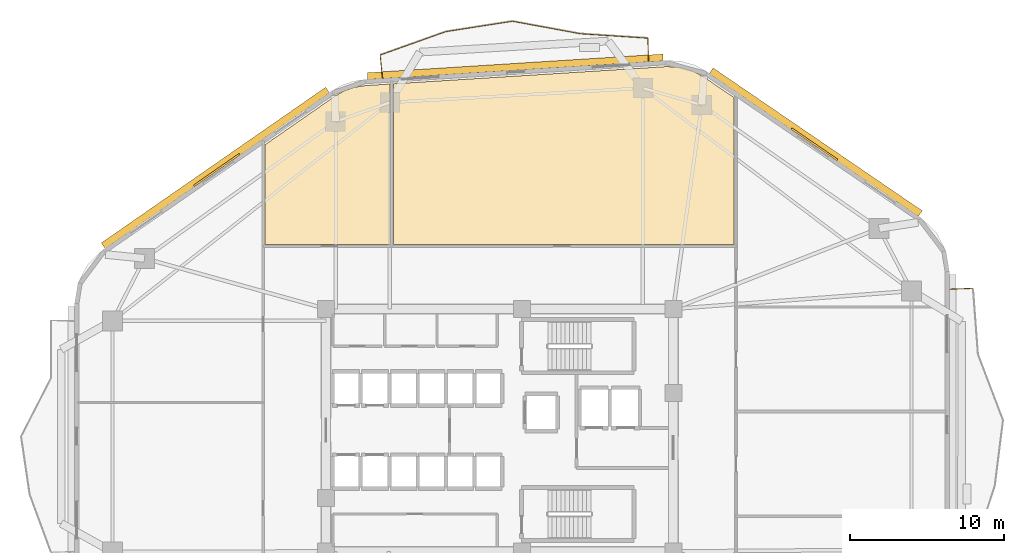
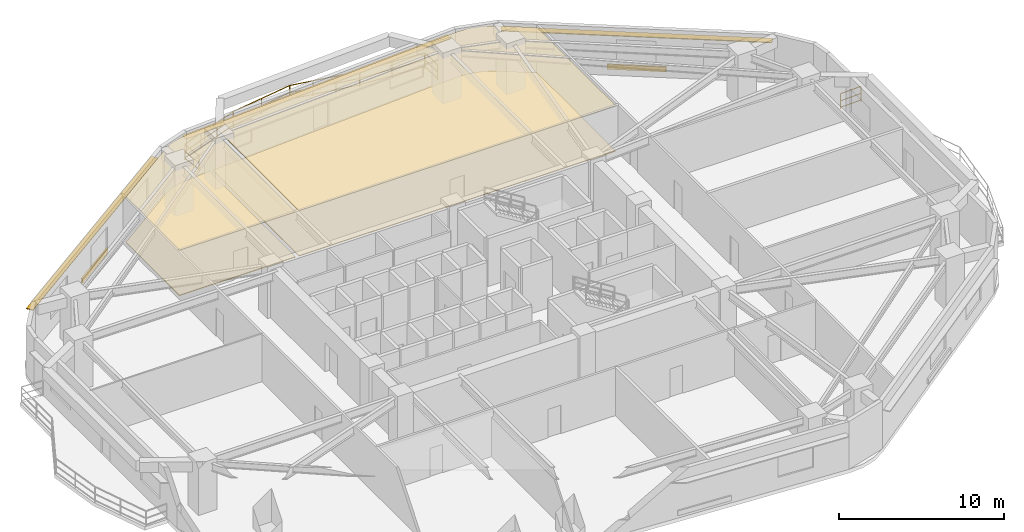
# One storey, part 9 of 9: 7 railings, 5 shading devices, 4 coverings.
"""IFC4 building model written with IfcOpenShell, lengths in metres."""

from ifc_helpers import new_model, si_unit, direction, frame, origin, origin_2d, place, context, subcontext, project, spatial, polyline, rectangle, outline, extrude, material, layer, layer_set, type_object, element, save


model = new_model("IFC4")

# Units and contexts
model_context = context("Model", 3, precision=1e-05, world=origin(), true_north=direction((0.0, 1.0)))
body_context = subcontext(model_context, "Body", "Model", "MODEL_VIEW")
ifc_project = project(units=[si_unit("LENGTHUNIT", "METRE"), si_unit("AREAUNIT", "SQUARE_METRE"), si_unit("VOLUMEUNIT", "CUBIC_METRE"), si_unit("PLANEANGLEUNIT", "RADIAN"), si_unit("MASSUNIT", "GRAM", prefix="KILO")], contexts=[model_context])

# Site, building, storey
site_placement = place(None, origin())
site = spatial("IfcSite", under=ifc_project, at=site_placement, CompositionType="ELEMENT")
building_placement = place(site_placement, origin())
building = spatial("IfcBuilding", under=site, at=building_placement, Name="Zulverin Broadcast Headquarters", CompositionType="ELEMENT")
storey_placement = place(building_placement, frame((0.0, 0.0, 59.199951171875)))
storey = spatial("IfcBuildingStorey", under=building, at=storey_placement, Name="L14", CompositionType="ELEMENT", Elevation=59.199951171875)

# Coverings
ifc_material_1 = material(Name="Perforated pale-metal acoustic baffle ceiling", Category="aluminium")
ifc_layer_1 = layer(ifc_material_1, 0.0400390625, Name="Perforated pale-metal acoustic baffle ceiling", Category="aluminium")
ifc_layer_set_1 = layer_set([ifc_layer_1], Name="Perforated pale-metal acoustic baffle ceiling")
covering_type_1 = type_object("IfcCoveringType", Name="COV-CEIL-ACOU", PredefinedType="CEILING", material=ifc_layer_set_1)
covering_1_placement = place(storey_placement, frame((0.0, 0.0, 3.344970703125)))
element("IfcCovering", 1, at=covering_1_placement, inside=storey, type_object=covering_type_1, Name="L14 Acoustic Baffle Ceiling 01", PredefinedType="CEILING", context=body_context, shape_type="SweptSolid", body=[
    extrude(outline(polyline([(29.8798828125, 37.27197265625), (29.8798828125, 47.676025390625), (28.27587890625, 47.575927734375), (27.575927734375, 47.468017578125), (26.927978515625, 47.243896484375), (26.31591796875, 46.89599609375), (21.77197265625, 43.739990234375), (21.77197265625, 37.27197265625), (29.8798828125, 37.27197265625)])), origin(), (0.0, 0.0, 1.0), 0.0400390625),
])
covering_2_placement = place(storey_placement, frame((0.0, 0.0, 3.344970703125)))
element("IfcCovering", 2, at=covering_2_placement, inside=storey, type_object=covering_type_1, Name="L14 Acoustic Baffle Ceiling 02", PredefinedType="CEILING", context=body_context, shape_type="SweptSolid", body=[
    extrude(outline(polyline([(52.23193359375, 37.27197265625), (52.23193359375, 46.7880859375), (50.248046875, 48.139892578125), (49.491943359375, 48.548095703125), (48.68408203125, 48.76806640625), (47.823974609375, 48.80810546875), (30.1201171875, 47.69189453125), (30.1201171875, 37.27197265625), (52.23193359375, 37.27197265625)])), origin(), (0.0, 0.0, 1.0), 0.0400390625),
])
ifc_material_2 = material(Name="Anti-static broadcast raised access flooring", Category="stone")
ifc_layer_2 = layer(ifc_material_2, 0.050048828125, Name="Anti-static broadcast raised access flooring", Category="stone")
ifc_layer_set_2 = layer_set([ifc_layer_2], Name="Anti-static broadcast raised access flooring")
covering_type_2 = type_object("IfcCoveringType", Name="COV-FLR-RAISED", PredefinedType="FLOORING", material=ifc_layer_set_2)
covering_3_placement = place(storey_placement, origin())
element("IfcCovering", 3, at=covering_3_placement, inside=storey, type_object=covering_type_2, Name="L14 Broadcast Raised Access Flooring 01", PredefinedType="FLOORING", context=body_context, shape_type="SweptSolid", body=[
    extrude(outline(polyline([(29.8798828125, 37.27197265625), (29.8798828125, 47.676025390625), (28.27587890625, 47.575927734375), (27.575927734375, 47.468017578125), (26.927978515625, 47.243896484375), (26.31591796875, 46.89599609375), (21.77197265625, 43.739990234375), (21.77197265625, 37.27197265625), (29.8798828125, 37.27197265625)])), origin(), (0.0, 0.0, 1.0), 0.050048828125),
])
covering_4_placement = place(storey_placement, origin())
element("IfcCovering", 4, at=covering_4_placement, inside=storey, type_object=covering_type_2, Name="L14 Broadcast Raised Access Flooring 02", PredefinedType="FLOORING", context=body_context, shape_type="SweptSolid", body=[
    extrude(outline(polyline([(52.23193359375, 37.27197265625), (52.23193359375, 46.7880859375), (50.248046875, 48.139892578125), (49.491943359375, 48.548095703125), (48.68408203125, 48.76806640625), (47.823974609375, 48.80810546875), (30.1201171875, 47.69189453125), (30.1201171875, 37.27197265625), (52.23193359375, 37.27197265625)])), origin(), (0.0, 0.0, 1.0), 0.050048828125),
])

# Railings
ifc_material_3 = material(Name="Brushed stainless steel & laminated glass balustrade", Category="steel")
railing_type = type_object("IfcRailingType", Name="RL-GUARD-1150", PredefinedType="GUARDRAIL", material=ifc_material_3)
railing_1_placement = place(storey_placement, frame((67.705078125, 34.413818359375, 0.0)))
element("IfcRailing", 5, at=railing_1_placement, inside=storey, type_object=railing_type, Name="L14 Vertical-Forest Balcony Guardrail BAL_E Segment 06", PredefinedType="GUARDRAIL", context=body_context, shape_type="SweptSolid", body=[
    extrude(rectangle(XDim=0.048095703125, YDim=0.048095703125, at=origin_2d()), frame((0.0, 0.0, 1.1259765625), z_axis=(-0.999181155166, -0.040460093435, 0.0), x_axis=(0.040460093435, -0.999181155166, 0.0)), (0.0, 0.0, 1.0), 1.46630859375),
    extrude(rectangle(XDim=0.0419921875, YDim=0.0419921875, at=origin_2d()), frame((0.0, 0.0, 0.597900390625), z_axis=(-0.999181155166, -0.040460093435, 0.0), x_axis=(0.040460093435, -0.999181155166, 0.0)), (0.0, 0.0, 1.0), 1.46630859375),
    extrude(rectangle(XDim=0.0419921875, YDim=0.0419921875, at=origin_2d()), frame((0.0, 0.0, 0.1201171875), z_axis=(-0.999181155166, -0.040460093435, 0.0), x_axis=(0.040460093435, -0.999181155166, 0.0)), (0.0, 0.0, 1.0), 1.46630859375),
    extrude(rectangle(XDim=0.0419921875, YDim=0.0419921875, at=origin_2d()), origin(), (0.0, 0.0, 1.0), 1.101806640625),
    extrude(rectangle(XDim=0.0419921875, YDim=0.0419921875, at=origin_2d()), frame((-1.465087890625, -0.059326171875, 0.0)), (0.0, 0.0, 1.0), 1.101806640625),
])
railing_2_placement = place(storey_placement, frame((46.662841796875, 49.176025390625, 0.0)))
element("IfcRailing", 6, at=railing_2_placement, inside=storey, type_object=railing_type, Name="L14 Vertical-Forest Balcony Guardrail BAL_N Segment 01", PredefinedType="GUARDRAIL", context=body_context, shape_type="SweptSolid", body=[
    extrude(rectangle(XDim=0.048095703125, YDim=0.048095703125, at=origin_2d()), frame((0.0, 0.0, 1.1259765625), z_axis=(-0.022479328211, 0.999747307975, 0.0), x_axis=(-0.999747307975, -0.022479328211, 0.0)), (0.0, 0.0, 1.0), 1.46630859375),
    extrude(rectangle(XDim=0.0419921875, YDim=0.0419921875, at=origin_2d()), frame((0.0, 0.0, 0.597900390625), z_axis=(-0.022479328211, 0.999747307975, 0.0), x_axis=(-0.999747307975, -0.022479328211, 0.0)), (0.0, 0.0, 1.0), 1.46630859375),
    extrude(rectangle(XDim=0.0419921875, YDim=0.0419921875, at=origin_2d()), frame((0.0, 0.0, 0.1201171875), z_axis=(-0.022479328211, 0.999747307975, 0.0), x_axis=(-0.999747307975, -0.022479328211, 0.0)), (0.0, 0.0, 1.0), 1.46630859375),
    extrude(rectangle(XDim=0.0419921875, YDim=0.0419921875, at=origin_2d()), origin(), (0.0, 0.0, 1.0), 1.101806640625),
    extrude(rectangle(XDim=0.0419921875, YDim=0.0419921875, at=origin_2d()), frame((-0.032958984375, 1.4658203125, 0.0)), (0.0, 0.0, 1.0), 1.101806640625),
])
railing_3_placement = place(storey_placement, frame((46.614501953125, 50.657958984375, 0.0)))
element("IfcRailing", 7, at=railing_3_placement, inside=storey, type_object=railing_type, Name="L14 Vertical-Forest Balcony Guardrail BAL_N Segment 02", PredefinedType="GUARDRAIL", context=body_context, shape_type="SweptSolid", body=[
    extrude(rectangle(XDim=0.048095703125, YDim=0.048095703125, at=origin_2d()), frame((0.0, 0.0, 1.1259765625), z_axis=(-0.997884053824, 0.065018575224, 0.0), x_axis=(-0.065018575224, -0.997884053824, 0.0)), (0.0, 0.0, 1.0), 4.36328125),
    extrude(rectangle(XDim=0.0419921875, YDim=0.0419921875, at=origin_2d()), frame((0.0, 0.0, 0.597900390625), z_axis=(-0.997884053824, 0.065018575224, 0.0), x_axis=(-0.065018575224, -0.997884053824, 0.0)), (0.0, 0.0, 1.0), 4.36328125),
    extrude(rectangle(XDim=0.0419921875, YDim=0.0419921875, at=origin_2d()), frame((0.0, 0.0, 0.1201171875), z_axis=(-0.997884053824, 0.065018575224, 0.0), x_axis=(-0.065018575224, -0.997884053824, 0.0)), (0.0, 0.0, 1.0), 4.36328125),
    extrude(rectangle(XDim=0.0419921875, YDim=0.0419921875, at=origin_2d()), origin(), (0.0, 0.0, 1.0), 1.101806640625),
    extrude(rectangle(XDim=0.0419921875, YDim=0.0419921875, at=origin_2d()), frame((-2.177001953125, 0.141845703125, 0.0)), (0.0, 0.0, 1.0), 1.101806640625),
    extrude(rectangle(XDim=0.0419921875, YDim=0.0419921875, at=origin_2d()), frame((-4.35400390625, 0.28369140625, 0.0)), (0.0, 0.0, 1.0), 1.101806640625),
])
railing_4_placement = place(storey_placement, frame((42.230712890625, 50.9453125, 0.0)))
element("IfcRailing", 8, at=railing_4_placement, inside=storey, type_object=railing_type, Name="L14 Vertical-Forest Balcony Guardrail BAL_N Segment 03", PredefinedType="GUARDRAIL", context=body_context, shape_type="SweptSolid", body=[
    extrude(rectangle(XDim=0.048095703125, YDim=0.048095703125, at=origin_2d()), frame((0.0, 0.0, 1.1259765625), z_axis=(-0.983498315352, 0.180917284139, 0.0), x_axis=(-0.180917284139, -0.983498315352, 0.0)), (0.0, 0.0, 1.0), 4.46142578125),
    extrude(rectangle(XDim=0.0419921875, YDim=0.0419921875, at=origin_2d()), frame((0.0, 0.0, 0.597900390625), z_axis=(-0.983498315352, 0.180917284139, 0.0), x_axis=(-0.180917284139, -0.983498315352, 0.0)), (0.0, 0.0, 1.0), 4.46142578125),
    extrude(rectangle(XDim=0.0419921875, YDim=0.0419921875, at=origin_2d()), frame((0.0, 0.0, 0.1201171875), z_axis=(-0.983498315352, 0.180917284139, 0.0), x_axis=(-0.180917284139, -0.983498315352, 0.0)), (0.0, 0.0, 1.0), 4.46142578125),
    extrude(rectangle(XDim=0.0419921875, YDim=0.0419921875, at=origin_2d()), origin(), (0.0, 0.0, 1.0), 1.101806640625),
    extrude(rectangle(XDim=0.0419921875, YDim=0.0419921875, at=origin_2d()), frame((-1.462646484375, 0.26904296875, 0.0)), (0.0, 0.0, 1.0), 1.101806640625),
    extrude(rectangle(XDim=0.0419921875, YDim=0.0419921875, at=origin_2d()), frame((-2.925048828125, 0.5380859375, 0.0)), (0.0, 0.0, 1.0), 1.101806640625),
    extrude(rectangle(XDim=0.0419921875, YDim=0.0419921875, at=origin_2d()), frame((-4.3876953125, 0.80712890625, 0.0)), (0.0, 0.0, 1.0), 1.101806640625),
])
railing_5_placement = place(storey_placement, frame((37.8134765625, 51.7529296875, 0.0)))
element("IfcRailing", 9, at=railing_5_placement, inside=storey, type_object=railing_type, Name="L14 Vertical-Forest Balcony Guardrail BAL_N Segment 04", PredefinedType="GUARDRAIL", context=body_context, shape_type="SweptSolid", body=[
    extrude(rectangle(XDim=0.048095703125, YDim=0.048095703125, at=origin_2d()), frame((0.0, 0.0, 1.1259765625), z_axis=(-0.988057241682, -0.154087271245, 0.0), x_axis=(0.154087271245, -0.988057241682, 0.0)), (0.0, 0.0, 1.0), 4.34619140625),
    extrude(rectangle(XDim=0.0419921875, YDim=0.0419921875, at=origin_2d()), frame((0.0, 0.0, 0.597900390625), z_axis=(-0.988057241682, -0.154087271245, 0.0), x_axis=(0.154087271245, -0.988057241682, 0.0)), (0.0, 0.0, 1.0), 4.34619140625),
    extrude(rectangle(XDim=0.0419921875, YDim=0.0419921875, at=origin_2d()), frame((0.0, 0.0, 0.1201171875), z_axis=(-0.988057241682, -0.154087271245, 0.0), x_axis=(0.154087271245, -0.988057241682, 0.0)), (0.0, 0.0, 1.0), 4.34619140625),
    extrude(rectangle(XDim=0.0419921875, YDim=0.0419921875, at=origin_2d()), origin(), (0.0, 0.0, 1.0), 1.101806640625),
    extrude(rectangle(XDim=0.0419921875, YDim=0.0419921875, at=origin_2d()), frame((-2.14697265625, -0.3349609375, 0.0)), (0.0, 0.0, 1.0), 1.101806640625),
    extrude(rectangle(XDim=0.0419921875, YDim=0.0419921875, at=origin_2d()), frame((-4.294189453125, -0.669677734375, 0.0)), (0.0, 0.0, 1.0), 1.101806640625),
])
railing_6_placement = place(storey_placement, frame((33.490478515625, 51.075927734375, 0.0)))
element("IfcRailing", 10, at=railing_6_placement, inside=storey, type_object=railing_type, Name="L14 Vertical-Forest Balcony Guardrail BAL_N Segment 05", PredefinedType="GUARDRAIL", context=body_context, shape_type="SweptSolid", body=[
    extrude(rectangle(XDim=0.048095703125, YDim=0.048095703125, at=origin_2d()), frame((0.0, 0.0, 1.1259765625), z_axis=(-0.942022481817, -0.335549763451, 0.0), x_axis=(0.335549763451, -0.942022481817, 0.0)), (0.0, 0.0, 1.0), 4.5029296875),
    extrude(rectangle(XDim=0.0419921875, YDim=0.0419921875, at=origin_2d()), frame((0.0, 0.0, 0.597900390625), z_axis=(-0.942022481817, -0.335549763451, 0.0), x_axis=(0.335549763451, -0.942022481817, 0.0)), (0.0, 0.0, 1.0), 4.5029296875),
    extrude(rectangle(XDim=0.0419921875, YDim=0.0419921875, at=origin_2d()), frame((0.0, 0.0, 0.1201171875), z_axis=(-0.942022481817, -0.335549763451, 0.0), x_axis=(0.335549763451, -0.942022481817, 0.0)), (0.0, 0.0, 1.0), 4.5029296875),
    extrude(rectangle(XDim=0.0419921875, YDim=0.0419921875, at=origin_2d()), origin(), (0.0, 0.0, 1.0), 1.101806640625),
    extrude(rectangle(XDim=0.0419921875, YDim=0.0419921875, at=origin_2d()), frame((-1.4140625, -0.503662109375, 0.0)), (0.0, 0.0, 1.0), 1.101806640625),
    extrude(rectangle(XDim=0.0419921875, YDim=0.0419921875, at=origin_2d()), frame((-2.827880859375, -1.00732421875, 0.0)), (0.0, 0.0, 1.0), 1.101806640625),
    extrude(rectangle(XDim=0.0419921875, YDim=0.0419921875, at=origin_2d()), frame((-4.241943359375, -1.510986328125, 0.0)), (0.0, 0.0, 1.0), 1.101806640625),
])
railing_7_placement = place(storey_placement, frame((29.236083984375, 49.545166015625, 0.0)))
element("IfcRailing", 11, at=railing_7_placement, inside=storey, type_object=railing_type, Name="L14 Vertical-Forest Balcony Guardrail BAL_N Segment 06", PredefinedType="GUARDRAIL", context=body_context, shape_type="SweptSolid", body=[
    extrude(rectangle(XDim=0.048095703125, YDim=0.048095703125, at=origin_2d()), frame((0.0, 0.0, 1.1259765625), z_axis=(0.103393334431, -0.994640547331, 0.0), x_axis=(0.994640547331, 0.103393334431, 0.0)), (0.0, 0.0, 1.0), 1.46630859375),
    extrude(rectangle(XDim=0.0419921875, YDim=0.0419921875, at=origin_2d()), frame((0.0, 0.0, 0.597900390625), z_axis=(0.103393334431, -0.994640547331, 0.0), x_axis=(0.994640547331, 0.103393334431, 0.0)), (0.0, 0.0, 1.0), 1.46630859375),
    extrude(rectangle(XDim=0.0419921875, YDim=0.0419921875, at=origin_2d()), frame((0.0, 0.0, 0.1201171875), z_axis=(0.103393334431, -0.994640547331, 0.0), x_axis=(0.994640547331, 0.103393334431, 0.0)), (0.0, 0.0, 1.0), 1.46630859375),
    extrude(rectangle(XDim=0.0419921875, YDim=0.0419921875, at=origin_2d()), origin(), (0.0, 0.0, 1.0), 1.101806640625),
    extrude(rectangle(XDim=0.0419921875, YDim=0.0419921875, at=origin_2d()), frame((0.151611328125, -1.45849609375, 0.0)), (0.0, 0.0, 1.0), 1.101806640625),
])

# Shading devices
ifc_material_4 = material(Name="Anodized pale-metal aluminium acoustic louvre", Category="aluminium")
shading_device_type_1 = type_object("IfcShadingDeviceType", Name="SHD-LOUVRE-350", PredefinedType="USERDEFINED", material=ifc_material_4)
for number, where, z_axis, x_axis, name in (
    (12, (57.435302734375, 43.76708984375, 0.2451171875), (0.0, 0.0, 1.0), (-0.825756855157, 0.564026254851, 0.0), "L14 Spandrel Intake Louvre 4"),
    (13, (18.631103515625, 42.0966796875, 0.2451171875), (0.0, 0.0, 1.0), (-0.821556397865, -0.57012725345, 0.0), "L14 Spandrel Intake Louvre 6"),
):
    element("IfcShadingDevice", number, at=place(storey_placement, frame(where, z_axis=z_axis, x_axis=x_axis)), inside=storey, type_object=shading_device_type_1, Name=name, ObjectType="LOUVRE", PredefinedType="USERDEFINED", context=body_context, shape_type="SweptSolid", body=[
        extrude(rectangle(XDim=3.60009765625, YDim=0.1201171875, at=origin_2d()), origin(), (0.0, 0.0, 1.0), 0.35009765625),
    ])
ifc_material_5 = material(Name="Anodized pale-metal aluminium sunshade", Category="aluminium")
ifc_layer_3 = layer(ifc_material_5, 0.06005859375, Name="Anodized pale-metal aluminium sunshade", Category="aluminium")
ifc_layer_set_3 = layer_set([ifc_layer_3], Name="Anodized pale-metal aluminium sunshade")
shading_device_type_2 = type_object("IfcShadingDeviceType", Name="SS-01_PALE_METAL_ALUMINIUM_SUNSHADE", PredefinedType="USERDEFINED", material=ifc_layer_set_3)
shading_device_1_placement = place(storey_placement, frame((57.525390625, 43.8994140625, 2.7099609375), z_axis=(0.0, 0.0, 1.0), x_axis=(-0.825756855157, 0.564026254851, 0.0)))
element("IfcShadingDevice", 14, at=shading_device_1_placement, inside=storey, type_object=shading_device_type_2, Name="L14 Horizontal Pale-Metal Sunshade Band 4", ObjectType="SUNSHADE", PredefinedType="USERDEFINED", context=body_context, shape_type="SweptSolid", body=[
    extrude(rectangle(XDim=16.4482421875, YDim=0.449951171875, at=origin_2d()), origin(), (0.0, 0.0, 1.0), 0.06005859375),
])
shading_device_2_placement = place(storey_placement, frame((38.01513671875, 48.791015625, 2.7099609375), z_axis=(0.0, 0.0, 1.0), x_axis=(-0.998017621976, -0.062935095345, 0.0)))
element("IfcShadingDevice", 15, at=shading_device_2_placement, inside=storey, type_object=shading_device_type_2, Name="L14 Horizontal Pale-Metal Sunshade Band 5", ObjectType="SUNSHADE", PredefinedType="USERDEFINED", context=body_context, shape_type="SweptSolid", body=[
    extrude(rectangle(XDim=19.2294921875, YDim=0.449951171875, at=origin_2d()), origin(), (0.0, 0.0, 1.0), 0.06005859375),
])
shading_device_3_placement = place(storey_placement, frame((18.539794921875, 42.22802734375, 2.7099609375), z_axis=(0.0, 0.0, 1.0), x_axis=(-0.821556397865, -0.57012725345, 0.0)))
element("IfcShadingDevice", 16, at=shading_device_3_placement, inside=storey, type_object=shading_device_type_2, Name="L14 Horizontal Pale-Metal Sunshade Band 6", ObjectType="SUNSHADE", PredefinedType="USERDEFINED", context=body_context, shape_type="SweptSolid", body=[
    extrude(rectangle(XDim=17.732421875, YDim=0.449951171875, at=origin_2d()), origin(), (0.0, 0.0, 1.0), 0.06005859375),
])

save(model, "model.ifc")
